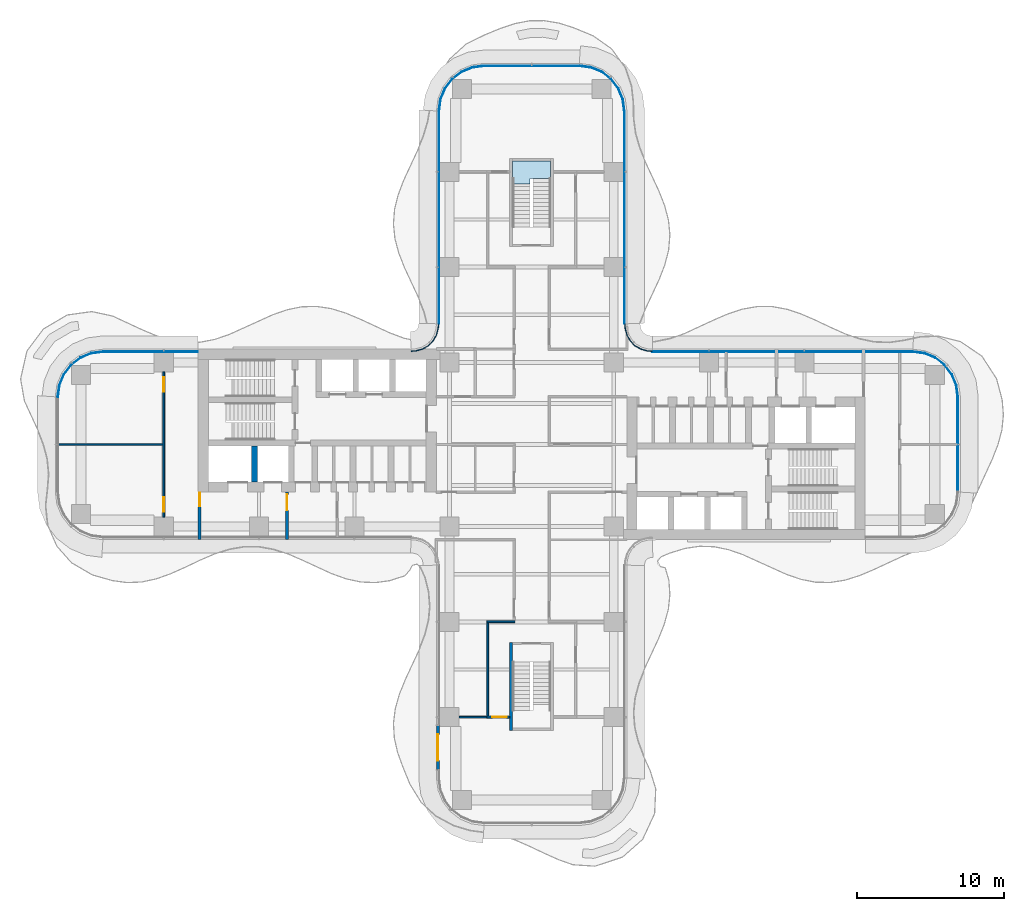
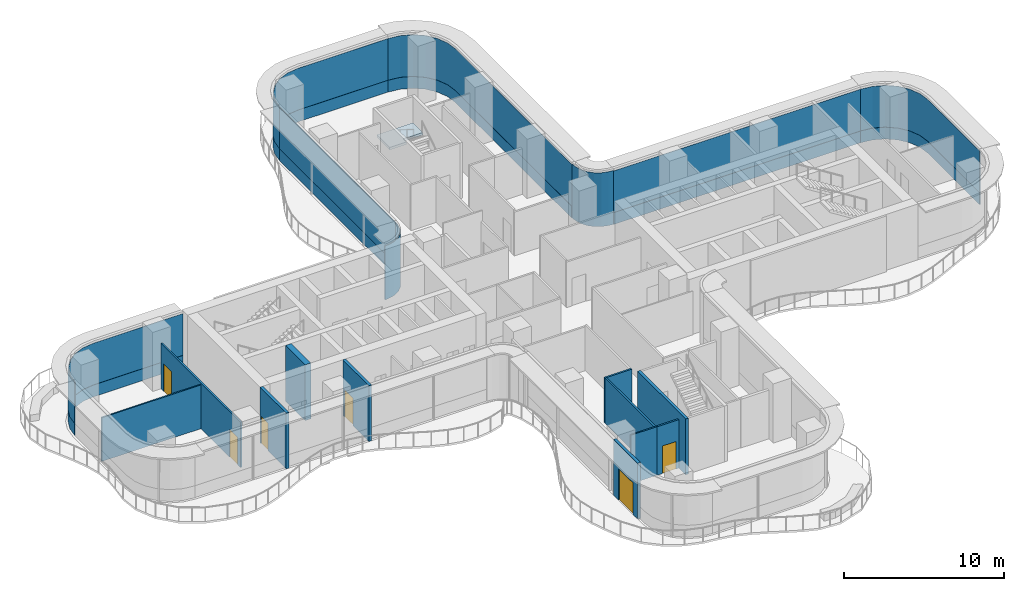
# One storey, part 15 of 21: 14 plates, 11 walls, 6 doors, 1 slab, 6 openings, 9 elements without a shape of their own.
"""IFC4 building model written with IfcOpenShell, lengths in metres."""

from ifc_helpers import new_model, si_unit, direction, frame, frame_2d, origin, place, context, subcontext, project, spatial, polyline, rectangle, outline, extrude, source, transform, mapped, material, layer, layer_set, type_object, element, fill, aggregate, save


model = new_model("IFC4")

# Units and contexts
model_context = context("Model", 3, precision=1e-05, world=origin(), true_north=direction((0.0, 1.0)))
body_context = subcontext(model_context, "Body", "Model", "MODEL_VIEW")
ifc_project = project(units=[si_unit("LENGTHUNIT", "METRE"), si_unit("AREAUNIT", "SQUARE_METRE"), si_unit("VOLUMEUNIT", "CUBIC_METRE"), si_unit("PLANEANGLEUNIT", "RADIAN"), si_unit("MASSUNIT", "GRAM", prefix="KILO")], contexts=[model_context])

# Site, building, storey
site_placement = place(None, origin())
site = spatial("IfcSite", under=ifc_project, at=site_placement, CompositionType="ELEMENT")
building_placement = place(site_placement, origin())
building = spatial("IfcBuilding", under=site, at=building_placement, Name="Trellis Farm Tower", CompositionType="ELEMENT")
storey_placement = place(building_placement, frame((0.0, 0.0, 147.0)))
storey = spatial("IfcBuildingStorey", under=building, at=storey_placement, Name="L31", CompositionType="ELEMENT", Elevation=147.0)

# Stair, slab
ifc_material_1 = material(Name="Concrete C50/60", Category="concrete")
stair_type = type_object("IfcStairType", Name="CORE EXIT STAIR 26 RISERS 173 MM", PredefinedType="HALF_TURN_STAIR", material=ifc_material_1)
placement_1 = place(storey_placement, origin())
stair = element("IfcStair", 1, at=placement_1, inside=storey, type_object=stair_type, Name="Exit stair N", PredefinedType="HALF_TURN_STAIR")
ifc_layer_1 = layer(ifc_material_1, 0.18994140625)
ifc_layer_set_1 = layer_set([ifc_layer_1], Name="CORE STAIR LANDING 190 CONCRETE C50/60")
slab_type = type_object("IfcSlabType", Name="CORE STAIR LANDING 190 CONCRETE C50/60", PredefinedType="LANDING", material=ifc_layer_set_1)
shared_shape_1 = source(origin(), body_context, "Body", "SweptSolid", [
    extrude(outline(polyline([(-0.10009765625, 17.753173828125), (-1.300048828125, 17.753173828125), (-1.300048828125, 18.14990234375), (-1.300048828125, 19.35009765625), (1.300048828125, 19.35009765625), (1.300048828125, 18.14990234375), (1.300048828125, 18.139892578125), (0.10009765625, 18.139892578125), (0.10009765625, 18.14990234375), (-0.10009765625, 18.14990234375), (-0.10009765625, 17.753173828125)])), origin(), (0.0, 0.0, 1.0), 0.18994140625),
])
slab_placement = place(storey_placement, frame((0.0, 0.0, 2.06005859375)))
slab = element("IfcSlab", 2, at=slab_placement, type_object=slab_type, Name="STN landing 1", PredefinedType="LANDING", context=body_context, shape_type="MappedRepresentation", body=[
    mapped(shared_shape_1, transform((0.0, 0.0, 0.0))),
])
aggregate(stair, [slab])

# Curtain wall, plate
ifc_material_2 = material(Name="Aluminium and glass curtain wall", Category="aluminium")
ifc_layer_2 = layer(ifc_material_2, 0.166015625)
ifc_layer_set_2 = layer_set([ifc_layer_2], Name="WINTER GARDEN CURTAIN WALL CW3")
curtain_wall_type_1 = type_object("IfcCurtainWallType", Name="WINTER GARDEN CURTAIN WALL CW3", PredefinedType="NOTDEFINED", material=ifc_layer_set_2)
curtain_wall_1 = element("IfcCurtainWall", 3, at=placement_1, inside=storey, type_object=curtain_wall_type_1, Name="CW3 003", PredefinedType="NOTDEFINED")
ifc_material_3 = material(Name="Clear insulated glass", Category="glass")
ifc_layer_3 = layer(ifc_material_3, 0.0458984375)
ifc_layer_set_3 = layer_set([ifc_layer_3], Name="CW3 GLASS PANEL 46")
plate_type_1 = type_object("IfcPlateType", Name="CW3 GLASS PANEL 46", PredefinedType="CURTAIN_PANEL", material=ifc_layer_set_3)
shared_shape_2 = source(origin(), body_context, "Body", "SweptSolid", [
    extrude(outline(polyline([(8.2275390625, 6.3798828125), (8.0078125, 6.394287109375), (7.89208984375, 6.40966796875), (7.462158203125, 6.52490234375), (7.070556640625, 6.7509765625), (6.7509765625, 7.070556640625), (6.52490234375, 7.462158203125), (6.40966796875, 7.89208984375), (6.394287109375, 8.0078125), (6.3798828125, 8.2275390625), (6.333984375, 8.22607421875), (6.3486328125, 8.003173828125), (6.364501953125, 7.883056640625), (6.48193359375, 7.4443359375), (6.714111328125, 7.04248046875), (7.04248046875, 6.714111328125), (7.4443359375, 6.48193359375), (7.883056640625, 6.364501953125), (8.003173828125, 6.3486328125), (8.22607421875, 6.333984375), (8.2275390625, 6.3798828125)])), origin(), (0.0, 0.0, 1.0), 4.10009765625),
])
plate_1 = element("IfcPlate", 4, at=placement_1, type_object=plate_type_1, Name="PL3 003", PredefinedType="CURTAIN_PANEL", context=body_context, shape_type="MappedRepresentation", body=[
    mapped(shared_shape_2, transform((0.0, 0.0, 0.0))),
])
aggregate(curtain_wall_1, [plate_1])

curtain_wall_2 = element("IfcCurtainWall", 5, at=placement_1, inside=storey, type_object=curtain_wall_type_1, Name="CW3 004", PredefinedType="NOTDEFINED")
shared_shape_3 = source(origin(), body_context, "Body", "SweptSolid", [
    extrude(outline(polyline([(-6.3798828125, 8.2275390625), (-6.394287109375, 8.0078125), (-6.40966796875, 7.89208984375), (-6.52490234375, 7.462158203125), (-6.7509765625, 7.070556640625), (-7.070556640625, 6.7509765625), (-7.462158203125, 6.52490234375), (-7.89208984375, 6.40966796875), (-8.0078125, 6.394287109375), (-8.2275390625, 6.3798828125), (-8.22607421875, 6.333984375), (-8.003173828125, 6.3486328125), (-7.883056640625, 6.364501953125), (-7.4443359375, 6.48193359375), (-7.04248046875, 6.714111328125), (-6.714111328125, 7.04248046875), (-6.48193359375, 7.4443359375), (-6.364501953125, 7.883056640625), (-6.3486328125, 8.003173828125), (-6.333984375, 8.22607421875), (-6.3798828125, 8.2275390625)])), origin(), (0.0, 0.0, 1.0), 4.10009765625),
])
plate_2 = element("IfcPlate", 6, at=placement_1, type_object=plate_type_1, Name="PL3 004", PredefinedType="CURTAIN_PANEL", context=body_context, shape_type="MappedRepresentation", body=[
    mapped(shared_shape_3, transform((0.0, 0.0, 0.0))),
])
aggregate(curtain_wall_2, [plate_2])

# Curtain wall, plates
ifc_layer_4 = layer(ifc_material_2, 0.18994140625)
ifc_layer_set_4 = layer_set([ifc_layer_4], Name="RIBBON CURTAIN WALL CW1")
curtain_wall_type_2 = type_object("IfcCurtainWallType", Name="RIBBON CURTAIN WALL CW1", PredefinedType="NOTDEFINED", material=ifc_layer_set_4)
curtain_wall_3 = element("IfcCurtainWall", 7, at=placement_1, inside=storey, type_object=curtain_wall_type_2, Name="CW1 012", PredefinedType="NOTDEFINED")
ifc_layer_5 = layer(ifc_material_3, 0.0400390625)
ifc_layer_set_5 = layer_set([ifc_layer_5], Name="CW1 GLASS PANEL 40")
plate_type_2 = type_object("IfcPlateType", Name="CW1 GLASS PANEL 40", PredefinedType="CURTAIN_PANEL", material=ifc_layer_set_5)
shared_shape_4 = source(origin(), body_context, "Body", "SweptSolid", [
    extrude(outline(polyline([(-22.780029296875, 6.35009765625), (-29.240234375, 6.35009765625), (-30.052001953125, 6.2431640625), (-30.79931640625, 5.93359375), (-31.441162109375, 5.441162109375), (-31.93359375, 4.79931640625), (-32.2431640625, 4.052001953125), (-32.35009765625, 3.240234375), (-32.31005859375, 3.237548828125), (-32.2041015625, 4.04150390625), (-31.898681640625, 4.779296875), (-31.41259765625, 5.41259765625), (-30.779296875, 5.898681640625), (-30.04150390625, 6.2041015625), (-29.237548828125, 6.31005859375), (-22.780029296875, 6.31005859375), (-22.780029296875, 6.35009765625)])), origin(), (0.0, 0.0, 1.0), 3.170166015625),
])
placement_2 = place(storey_placement, frame((0.0, 0.0, 0.89990234375)))
plate_3 = element("IfcPlate", 8, at=placement_2, type_object=plate_type_2, Name="PL1 012", PredefinedType="CURTAIN_PANEL", context=body_context, shape_type="MappedRepresentation", body=[
    mapped(shared_shape_4, transform((0.0, 0.0, 0.0))),
])
ifc_material_4 = material(Name="Sandstone faced insulated panel", Category="masonry")
ifc_layer_6 = layer(ifc_material_4, 0.050048828125)
ifc_layer_set_6 = layer_set([ifc_layer_6], Name="CW1 STONE SPANDREL PANEL 50")
plate_type_3 = type_object("IfcPlateType", Name="CW1 STONE SPANDREL PANEL 50", PredefinedType="CURTAIN_PANEL", material=ifc_layer_set_6)
shared_shape_5 = source(origin(), body_context, "Body", "SweptSolid", [
    extrude(outline(polyline([(-22.780029296875, 6.35009765625), (-29.240234375, 6.35009765625), (-30.052001953125, 6.2431640625), (-30.79931640625, 5.93359375), (-31.441162109375, 5.441162109375), (-31.93359375, 4.79931640625), (-32.2431640625, 4.052001953125), (-32.35009765625, 3.240234375), (-32.300048828125, 3.23681640625), (-32.1943359375, 4.0390625), (-31.889892578125, 4.774169921875), (-31.405517578125, 5.405517578125), (-30.774169921875, 5.889892578125), (-30.0390625, 6.1943359375), (-29.23681640625, 6.300048828125), (-22.780029296875, 6.300048828125), (-22.780029296875, 6.35009765625)])), origin(), (0.0, 0.0, 1.0), 0.89990234375),
])
plate_4 = element("IfcPlate", 9, at=placement_1, type_object=plate_type_3, Name="PS1 012", PredefinedType="CURTAIN_PANEL", context=body_context, shape_type="MappedRepresentation", body=[
    mapped(shared_shape_5, transform((0.0, 0.0, 0.0))),
])
aggregate(curtain_wall_3, [plate_3, plate_4])

curtain_wall_4 = element("IfcCurtainWall", 10, at=placement_1, inside=storey, type_object=curtain_wall_type_2, Name="CW1 009", PredefinedType="NOTDEFINED")
shared_shape_6 = source(origin(), body_context, "Body", "SweptSolid", [
    extrude(outline(polyline([(6.35009765625, 8.2265625), (6.35009765625, 22.740234375), (6.2431640625, 23.552001953125), (5.93359375, 24.29931640625), (5.441162109375, 24.941162109375), (4.79931640625, 25.43359375), (4.052001953125, 25.7431640625), (3.240234375, 25.85009765625), (3.237548828125, 25.81005859375), (4.04150390625, 25.7041015625), (4.779296875, 25.398681640625), (5.41259765625, 24.91259765625), (5.898681640625, 24.279296875), (6.2041015625, 23.54150390625), (6.31005859375, 22.737548828125), (6.31005859375, 8.22509765625), (6.35009765625, 8.2265625)])), origin(), (0.0, 0.0, 1.0), 3.170166015625),
])
plate_5 = element("IfcPlate", 11, at=placement_2, type_object=plate_type_2, Name="PL1 009", PredefinedType="CURTAIN_PANEL", context=body_context, shape_type="MappedRepresentation", body=[
    mapped(shared_shape_6, transform((0.0, 0.0, 0.0))),
])
shared_shape_7 = source(origin(), body_context, "Body", "SweptSolid", [
    extrude(outline(polyline([(6.35009765625, 8.2265625), (6.35009765625, 22.740234375), (6.2431640625, 23.552001953125), (5.93359375, 24.29931640625), (5.441162109375, 24.941162109375), (4.79931640625, 25.43359375), (4.052001953125, 25.7431640625), (3.240234375, 25.85009765625), (3.23681640625, 25.800048828125), (4.0390625, 25.6943359375), (4.774169921875, 25.389892578125), (5.405517578125, 24.905517578125), (5.889892578125, 24.274169921875), (6.1943359375, 23.5390625), (6.300048828125, 22.73681640625), (6.300048828125, 8.224853515625), (6.35009765625, 8.2265625)])), origin(), (0.0, 0.0, 1.0), 0.89990234375),
])
plate_6 = element("IfcPlate", 12, at=placement_1, type_object=plate_type_3, Name="PS1 009", PredefinedType="CURTAIN_PANEL", context=body_context, shape_type="MappedRepresentation", body=[
    mapped(shared_shape_7, transform((0.0, 0.0, 0.0))),
])
aggregate(curtain_wall_4, [plate_5, plate_6])

curtain_wall_5 = element("IfcCurtainWall", 13, at=placement_1, inside=storey, type_object=curtain_wall_type_2, Name="CW1 011", PredefinedType="NOTDEFINED")
shared_shape_8 = source(origin(), body_context, "Body", "SweptSolid", [
    extrude(outline(polyline([(-6.35009765625, 22.740234375), (-6.35009765625, 8.2265625), (-6.31005859375, 8.22509765625), (-6.31005859375, 22.737548828125), (-6.35009765625, 22.740234375)])), origin(), (0.0, 0.0, 1.0), 3.170166015625),
])
plate_7 = element("IfcPlate", 14, at=placement_2, type_object=plate_type_2, Name="PL1 011", PredefinedType="CURTAIN_PANEL", context=body_context, shape_type="MappedRepresentation", body=[
    mapped(shared_shape_8, transform((0.0, 0.0, 0.0))),
])
shared_shape_9 = source(origin(), body_context, "Body", "SweptSolid", [
    extrude(outline(polyline([(-6.35009765625, 22.740234375), (-6.35009765625, 8.2265625), (-6.300048828125, 8.224853515625), (-6.300048828125, 22.73681640625), (-6.35009765625, 22.740234375)])), origin(), (0.0, 0.0, 1.0), 0.89990234375),
])
plate_8 = element("IfcPlate", 15, at=placement_1, type_object=plate_type_3, Name="PS1 011", PredefinedType="CURTAIN_PANEL", context=body_context, shape_type="MappedRepresentation", body=[
    mapped(shared_shape_9, transform((0.0, 0.0, 0.0))),
])
aggregate(curtain_wall_5, [plate_7, plate_8])

curtain_wall_6 = element("IfcCurtainWall", 16, at=placement_1, inside=storey, type_object=curtain_wall_type_2, Name="CW1 010", PredefinedType="NOTDEFINED")
shared_shape_10 = source(origin(), body_context, "Body", "SweptSolid", [
    extrude(outline(polyline([(3.240234375, 25.85009765625), (-3.240234375, 25.85009765625), (-4.052001953125, 25.7431640625), (-4.79931640625, 25.43359375), (-5.441162109375, 24.941162109375), (-5.93359375, 24.29931640625), (-6.2431640625, 23.552001953125), (-6.35009765625, 22.740234375), (-6.31005859375, 22.737548828125), (-6.2041015625, 23.54150390625), (-5.898681640625, 24.279296875), (-5.41259765625, 24.91259765625), (-4.779296875, 25.398681640625), (-4.04150390625, 25.7041015625), (-3.237548828125, 25.81005859375), (3.237548828125, 25.81005859375), (3.240234375, 25.85009765625)])), origin(), (0.0, 0.0, 1.0), 3.170166015625),
])
plate_9 = element("IfcPlate", 17, at=placement_2, type_object=plate_type_2, Name="PL1 010", PredefinedType="CURTAIN_PANEL", context=body_context, shape_type="MappedRepresentation", body=[
    mapped(shared_shape_10, transform((0.0, 0.0, 0.0))),
])
shared_shape_11 = source(origin(), body_context, "Body", "SweptSolid", [
    extrude(outline(polyline([(3.240234375, 25.85009765625), (-3.240234375, 25.85009765625), (-4.052001953125, 25.7431640625), (-4.79931640625, 25.43359375), (-5.441162109375, 24.941162109375), (-5.93359375, 24.29931640625), (-6.2431640625, 23.552001953125), (-6.35009765625, 22.740234375), (-6.300048828125, 22.73681640625), (-6.1943359375, 23.5390625), (-5.889892578125, 24.274169921875), (-5.405517578125, 24.905517578125), (-4.774169921875, 25.389892578125), (-4.0390625, 25.6943359375), (-3.23681640625, 25.800048828125), (3.23681640625, 25.800048828125), (3.240234375, 25.85009765625)])), origin(), (0.0, 0.0, 1.0), 0.89990234375),
])
plate_10 = element("IfcPlate", 18, at=placement_1, type_object=plate_type_3, Name="PS1 010", PredefinedType="CURTAIN_PANEL", context=body_context, shape_type="MappedRepresentation", body=[
    mapped(shared_shape_11, transform((0.0, 0.0, 0.0))),
])
aggregate(curtain_wall_6, [plate_9, plate_10])

curtain_wall_7 = element("IfcCurtainWall", 19, at=placement_1, inside=storey, type_object=curtain_wall_type_2, Name="CW1 008", PredefinedType="NOTDEFINED")
shared_shape_12 = source(origin(), body_context, "Body", "SweptSolid", [
    extrude(outline(polyline([(25.990234375, 6.35009765625), (8.2265625, 6.35009765625), (8.22509765625, 6.31005859375), (25.987548828125, 6.31005859375), (25.990234375, 6.35009765625)])), origin(), (0.0, 0.0, 1.0), 3.170166015625),
])
plate_11 = element("IfcPlate", 20, at=placement_2, type_object=plate_type_2, Name="PL1 008", PredefinedType="CURTAIN_PANEL", context=body_context, shape_type="MappedRepresentation", body=[
    mapped(shared_shape_12, transform((0.0, 0.0, 0.0))),
])
shared_shape_13 = source(origin(), body_context, "Body", "SweptSolid", [
    extrude(outline(polyline([(25.990234375, 6.35009765625), (8.2265625, 6.35009765625), (8.224853515625, 6.300048828125), (25.98681640625, 6.300048828125), (25.990234375, 6.35009765625)])), origin(), (0.0, 0.0, 1.0), 0.89990234375),
])
plate_12 = element("IfcPlate", 21, at=placement_1, type_object=plate_type_3, Name="PS1 008", PredefinedType="CURTAIN_PANEL", context=body_context, shape_type="MappedRepresentation", body=[
    mapped(shared_shape_13, transform((0.0, 0.0, 0.0))),
])
aggregate(curtain_wall_7, [plate_11, plate_12])

curtain_wall_8 = element("IfcCurtainWall", 22, at=placement_1, inside=storey, type_object=curtain_wall_type_2, Name="CW1 007", PredefinedType="NOTDEFINED")
shared_shape_14 = source(origin(), body_context, "Body", "SweptSolid", [
    extrude(outline(polyline([(29.10009765625, -3.240234375), (29.10009765625, 3.240234375), (28.9931640625, 4.052001953125), (28.68359375, 4.79931640625), (28.191162109375, 5.441162109375), (27.54931640625, 5.93359375), (26.802001953125, 6.2431640625), (25.990234375, 6.35009765625), (25.987548828125, 6.31005859375), (26.79150390625, 6.2041015625), (27.529296875, 5.898681640625), (28.16259765625, 5.41259765625), (28.648681640625, 4.779296875), (28.9541015625, 4.04150390625), (29.06005859375, 3.237548828125), (29.06005859375, -3.237548828125), (29.10009765625, -3.240234375)])), origin(), (0.0, 0.0, 1.0), 3.170166015625),
])
plate_13 = element("IfcPlate", 23, at=placement_2, type_object=plate_type_2, Name="PL1 007", PredefinedType="CURTAIN_PANEL", context=body_context, shape_type="MappedRepresentation", body=[
    mapped(shared_shape_14, transform((0.0, 0.0, 0.0))),
])
shared_shape_15 = source(origin(), body_context, "Body", "SweptSolid", [
    extrude(outline(polyline([(29.10009765625, -3.240234375), (29.10009765625, 3.240234375), (28.9931640625, 4.052001953125), (28.68359375, 4.79931640625), (28.191162109375, 5.441162109375), (27.54931640625, 5.93359375), (26.802001953125, 6.2431640625), (25.990234375, 6.35009765625), (25.98681640625, 6.300048828125), (26.7890625, 6.1943359375), (27.524169921875, 5.889892578125), (28.155517578125, 5.405517578125), (28.639892578125, 4.774169921875), (28.9443359375, 4.0390625), (29.050048828125, 3.23681640625), (29.050048828125, -3.23681640625), (29.10009765625, -3.240234375)])), origin(), (0.0, 0.0, 1.0), 0.89990234375),
])
plate_14 = element("IfcPlate", 24, at=placement_1, type_object=plate_type_3, Name="PS1 007", PredefinedType="CURTAIN_PANEL", context=body_context, shape_type="MappedRepresentation", body=[
    mapped(shared_shape_15, transform((0.0, 0.0, 0.0))),
])
aggregate(curtain_wall_8, [plate_13, plate_14])

# Wall
ifc_material_5 = material(Name="Concrete C70/85", Category="concrete")
ifc_layer_7 = layer(ifc_material_5, 0.39990234375)
ifc_layer_set_7 = layer_set([ifc_layer_7], Name="CORE INNER WALL 400 CONCRETE C70/85")
wall_type_1 = type_object("IfcWallType", Name="CORE INNER WALL 400 CONCRETE C70/85", PredefinedType="SHEAR", material=ifc_layer_set_7)
shared_shape_16 = source(origin(), body_context, "Body", "SweptSolid", [
    extrude(rectangle(XDim=2.449951171875, YDim=0.39990234375, at=frame_2d((1.22509765625, 0.0))), origin(), (0.0, 0.0, 1.0), 4.25),
])
wall_1_placement = place(storey_placement, frame((-18.89990234375, -0.10009765625, 0.0), z_axis=(0.0, 0.0, 1.0), x_axis=(0.0, -1.0, 0.0)))
element("IfcWall", 25, at=wall_1_placement, inside=storey, type_object=wall_type_1, Name="Core wall", PredefinedType="SHEAR", context=body_context, shape_type="MappedRepresentation", body=[
    mapped(shared_shape_16, transform((0.0, 0.0, 0.0))),
])

# Wall, opening, door
ifc_material_6 = material(Name="Masonry blockwork", Category="masonry")
ifc_layer_8 = layer(ifc_material_6, 0.199951171875)
ifc_layer_set_8 = layer_set([ifc_layer_8], Name="FIRE LOBBY PARTITION 200 BLOCKWORK")
wall_type_2 = type_object("IfcWallType", Name="FIRE LOBBY PARTITION 200 BLOCKWORK", PredefinedType="PARTITIONING", material=ifc_layer_set_8)
shared_shape_17 = source(origin(), body_context, "Body", "SweptSolid", [
    extrude(rectangle(XDim=3.25, YDim=0.199951171875, at=frame_2d((1.625, 0.0))), origin(), (0.0, 0.0, 1.0), 4.25),
])
wall_2_placement = place(storey_placement, frame((-16.699951171875, -3.25, 0.0), z_axis=(0.0, 0.0, 1.0), x_axis=(0.0, -1.0, 0.0)))
wall_2 = element("IfcWall", 26, at=wall_2_placement, inside=storey, type_object=wall_type_2, Name="Fire-fighting lobby partition", PredefinedType="PARTITIONING", context=body_context, shape_type="MappedRepresentation", body=[
    mapped(shared_shape_17, transform((0.0, 0.0, 0.0))),
])
shared_shape_18 = source(origin(), body_context, "Body", "SweptSolid", [
    extrude(rectangle(XDim=1.10009765625, YDim=2.10009765625, at=frame_2d((0.550048828125, 1.050048828125))), frame((0.0, 0.110107421875, 0.0), z_axis=(0.0, -1.0, 0.0), x_axis=(1.0, 0.0, 0.0)), (0.0, 0.0, 1.0), 0.22021484375),
])
opening_1_placement = place(wall_2_placement, frame((0.14990234375, 0.0, 0.0)))
opening_1 = element("IfcOpeningElement", 27, at=opening_1_placement, cuts=wall_2, Name="Opening DC93", PredefinedType="OPENING", context=body_context, shape_type="MappedRepresentation", body=[
    mapped(shared_shape_18, transform((0.0, 0.0, 0.0))),
])
ifc_material_7 = material(Name="Steel", Category="steel")
door_type_1 = type_object("IfcDoorType", Name="CORE FIRE DOOR 1100 X 2100", OperationType="NOTDEFINED", PredefinedType="DOOR", material=ifc_material_7)
shared_shape_19 = source(origin(), body_context, "Body", "SweptSolid", [
    extrude(rectangle(XDim=1.10009765625, YDim=2.10009765625, at=frame_2d((0.550048828125, 1.050048828125))), frame((0.0, 0.02490234375, 0.0), z_axis=(0.0, -1.0, 0.0), x_axis=(1.0, 0.0, 0.0)), (0.0, 0.0, 1.0), 0.050048828125),
])
door_1_placement = place(opening_1_placement, origin())
door_1 = element("IfcDoor", 28, at=door_1_placement, inside=storey, type_object=door_type_1, Name="Core door", OperationType="SINGLE_SWING_RIGHT", OverallHeight=2.10009765625, OverallWidth=1.10009765625, PredefinedType="DOOR", context=body_context, shape_type="MappedRepresentation", body=[
    mapped(shared_shape_19, transform((0.0, 0.0, 0.0))),
])
fill(opening_1, door_1)

wall_3_placement = place(storey_placement, frame((-22.64990234375, -3.25, 0.0), z_axis=(0.0, 0.0, 1.0), x_axis=(0.0, -1.0, 0.0)))
wall_3 = element("IfcWall", 29, at=wall_3_placement, inside=storey, type_object=wall_type_2, Name="Fire-fighting lobby partition", PredefinedType="PARTITIONING", context=body_context, shape_type="MappedRepresentation", body=[
    mapped(shared_shape_17, transform((0.0, 0.0, 0.0))),
])
shared_shape_20 = source(origin(), body_context, "Body", "SweptSolid", [
    extrude(rectangle(XDim=0.89990234375, YDim=2.10009765625, at=frame_2d((0.449951171875, 1.050048828125))), frame((0.0, 0.110107421875, 0.0), z_axis=(0.0, -1.0, 0.0), x_axis=(1.0, 0.0, 0.0)), (0.0, 0.0, 1.0), 0.22021484375),
])
opening_2_placement = place(wall_3_placement, frame((0.050048828125, 0.0, 0.0)))
opening_2 = element("IfcOpeningElement", 30, at=opening_2_placement, cuts=wall_3, Name="Opening DC94", PredefinedType="OPENING", context=body_context, shape_type="MappedRepresentation", body=[
    mapped(shared_shape_20, transform((0.0, 0.0, 0.0))),
])
door_type_2 = type_object("IfcDoorType", Name="CORE FIRE DOOR 900 X 2100", OperationType="NOTDEFINED", PredefinedType="DOOR", material=ifc_material_7)
shared_shape_21 = source(origin(), body_context, "Body", "SweptSolid", [
    extrude(rectangle(XDim=0.89990234375, YDim=2.10009765625, at=frame_2d((0.449951171875, 1.050048828125))), frame((0.0, 0.02490234375, 0.0), z_axis=(0.0, -1.0, 0.0), x_axis=(1.0, 0.0, 0.0)), (0.0, 0.0, 1.0), 0.050048828125),
])
door_2_placement = place(opening_2_placement, origin())
door_2 = element("IfcDoor", 31, at=door_2_placement, inside=storey, type_object=door_type_2, Name="Core door", OperationType="SINGLE_SWING_RIGHT", OverallHeight=2.10009765625, OverallWidth=0.89990234375, PredefinedType="DOOR", context=body_context, shape_type="MappedRepresentation", body=[
    mapped(shared_shape_21, transform((0.0, 0.0, 0.0))),
])
fill(opening_2, door_2)

# Wall
ifc_layer_9 = layer(ifc_material_5, 0.199951171875)
ifc_layer_set_9 = layer_set([ifc_layer_9], Name="CORE STAIR ENCLOSURE WALL 200 CONCRETE C70/85")
wall_type_3 = type_object("IfcWallType", Name="CORE STAIR ENCLOSURE WALL 200 CONCRETE C70/85", PredefinedType="SHEAR", material=ifc_layer_set_9)
shared_shape_22 = source(origin(), body_context, "Body", "SweptSolid", [
    extrude(rectangle(XDim=6.0, YDim=0.199951171875, at=frame_2d((3.0, 0.0))), origin(), (0.0, 0.0, 1.0), 4.25),
])
wall_4_placement = place(storey_placement, frame((-1.39990234375, -13.5, 0.0), z_axis=(0.0, 0.0, 1.0), x_axis=(0.0, -1.0, 0.0)))
element("IfcWall", 32, at=wall_4_placement, inside=storey, type_object=wall_type_3, Name="Stair enclosure wall", PredefinedType="SHEAR", context=body_context, shape_type="MappedRepresentation", body=[
    mapped(shared_shape_22, transform((0.0, 0.0, 0.0))),
])

# Wall, opening, door
ifc_material_8 = material(Name="Sandstone faced insulated wall", Category="masonry")
ifc_layer_10 = layer(ifc_material_8, 0.199951171875)
ifc_layer_set_10 = layer_set([ifc_layer_10], Name="EXTERNAL INFILL WALL 200")
wall_type_4 = type_object("IfcWallType", Name="EXTERNAL INFILL WALL 200", PredefinedType="SOLIDWALL", material=ifc_layer_set_10)
shared_shape_23 = source(origin(), body_context, "Body", "SweptSolid", [
    extrude(rectangle(XDim=3.0, YDim=0.199951171875, at=frame_2d((1.5, 0.0))), origin(), (0.0, 0.0, 1.0), 4.25),
])
wall_5_placement = place(storey_placement, frame((-6.39990234375, -19.175048828125, 0.0), z_axis=(0.0, 0.0, 1.0), x_axis=(0.0, -1.0, 0.0)))
wall_5 = element("IfcWall", 33, at=wall_5_placement, inside=storey, type_object=wall_type_4, Name="EW1 01", PredefinedType="SOLIDWALL", context=body_context, shape_type="MappedRepresentation", body=[
    mapped(shared_shape_23, transform((0.0, 0.0, 0.0))),
])
shared_shape_24 = source(origin(), body_context, "Body", "SweptSolid", [
    extrude(rectangle(XDim=1.800048828125, YDim=2.39990234375, at=frame_2d((0.89990234375, 1.199951171875))), frame((0.0, 0.110107421875, 0.0), z_axis=(0.0, -1.0, 0.0), x_axis=(1.0, 0.0, 0.0)), (0.0, 0.0, 1.0), 0.22021484375),
])
opening_3_placement = place(wall_5_placement, frame((0.60009765625, 0.0, 0.0)))
opening_3 = element("IfcOpeningElement", 34, at=opening_3_placement, cuts=wall_5, Name="Opening ED1", PredefinedType="OPENING", context=body_context, shape_type="MappedRepresentation", body=[
    mapped(shared_shape_24, transform((0.0, 0.0, 0.0))),
])
ifc_material_9 = material(Name="Aluminium framed glazed door", Category="aluminium")
door_type_3 = type_object("IfcDoorType", Name="BALCONY DOOR 1800x2400", OperationType="DOUBLE_DOOR_SINGLE_SWING", PredefinedType="DOOR", material=ifc_material_9)
shared_shape_25 = source(origin(), body_context, "Body", "SweptSolid", [
    extrude(rectangle(XDim=1.800048828125, YDim=2.39990234375, at=frame_2d((0.89990234375, 1.199951171875))), frame((0.0, 0.02490234375, 0.0), z_axis=(0.0, -1.0, 0.0), x_axis=(1.0, 0.0, 0.0)), (0.0, 0.0, 1.0), 0.050048828125),
])
door_3_placement = place(opening_3_placement, origin())
door_3 = element("IfcDoor", 35, at=door_3_placement, inside=storey, type_object=door_type_3, Name="Balcony door", OperationType="DOUBLE_DOOR_SINGLE_SWING", OverallHeight=2.39990234375, OverallWidth=1.800048828125, PredefinedType="DOOR", context=body_context, shape_type="MappedRepresentation", body=[
    mapped(shared_shape_25, transform((0.0, 0.0, 0.0))),
])
fill(opening_3, door_3)

# Walls
ifc_material_10 = material(Name="Plasterboard on steel studs, mineral wool", Category="steel")
ifc_layer_11 = layer(ifc_material_10, 0.125)
ifc_layer_set_11 = layer_set([ifc_layer_11], Name="PARTITION 125 STUD EI 60")
wall_type_5 = type_object("IfcWallType", Name="PARTITION 125 STUD EI 60", PredefinedType="PARTITIONING", material=ifc_layer_set_11)
shared_shape_26 = source(origin(), body_context, "Body", "SweptSolid", [
    extrude(rectangle(XDim=1.925048828125, YDim=0.125, at=frame_2d((0.96240234375, 0.0))), origin(), (0.0, 0.0, 1.0), 3.4677734375),
])
wall_6_placement = place(storey_placement, frame((-3.0625, -12.10009765625, 0.0), z_axis=(0.0, 0.0, 1.0), x_axis=(1.0, 0.0, 0.0)))
element("IfcWall", 36, at=wall_6_placement, inside=storey, type_object=wall_type_5, Name="Partition PW1", PredefinedType="PARTITIONING", context=body_context, shape_type="MappedRepresentation", body=[
    mapped(shared_shape_26, transform((0.0, 0.0, 0.0))),
])
ifc_material_11 = material(Name="Plasterboard on steel studs", Category="steel")
ifc_layer_12 = layer(ifc_material_11, 0.10009765625)
ifc_layer_set_12 = layer_set([ifc_layer_12], Name="PARTITION 100 STUD EI 30")
wall_type_6 = type_object("IfcWallType", Name="PARTITION 100 STUD EI 30", PredefinedType="PARTITIONING", material=ifc_layer_set_12)
shared_shape_27 = source(origin(), body_context, "Body", "SweptSolid", [
    extrude(rectangle(XDim=7.137451171875, YDim=0.10009765625, at=frame_2d((3.56884765625, 0.0))), origin(), (0.0, 0.0, 1.0), 3.330078125),
])
wall_7_placement = place(storey_placement, frame((-32.300048828125, 0.0, 0.0), z_axis=(0.0, 0.0, 1.0), x_axis=(1.0, 0.0, 0.0)))
element("IfcWall", 37, at=wall_7_placement, inside=storey, type_object=wall_type_6, Name="Partition PW2", PredefinedType="PARTITIONING", context=body_context, shape_type="MappedRepresentation", body=[
    mapped(shared_shape_27, transform((0.0, 0.0, 0.0))),
])

# Wall, opening, door
shared_shape_28 = source(origin(), body_context, "Body", "SweptSolid", [
    extrude(rectangle(XDim=1.5625, YDim=0.125, at=frame_2d((0.78125, 0.0))), origin(), (0.0, 0.0, 1.0), 3.697021484375),
])
wall_8_placement = place(storey_placement, frame((-1.5, -18.60009765625, 0.0), z_axis=(0.0, 0.0, 1.0), x_axis=(-1.0, 0.0, 0.0)))
wall_8 = element("IfcWall", 38, at=wall_8_placement, inside=storey, type_object=wall_type_5, Name="Partition PW1", PredefinedType="PARTITIONING", context=body_context, shape_type="MappedRepresentation", body=[
    mapped(shared_shape_28, transform((0.0, 0.0, 0.0))),
])
shared_shape_29 = source(origin(), body_context, "Body", "SweptSolid", [
    extrude(rectangle(XDim=1.0, YDim=2.10009765625, at=frame_2d((0.5, 1.050048828125))), frame((0.0, 0.072509765625, 0.0), z_axis=(0.0, -1.0, 0.0), x_axis=(1.0, 0.0, 0.0)), (0.0, 0.0, 1.0), 0.14501953125),
])
opening_4_placement = place(wall_8_placement, frame((0.199951171875, 0.0, 0.0)))
opening_4 = element("IfcOpeningElement", 39, at=opening_4_placement, cuts=wall_8, Name="Opening D101", PredefinedType="OPENING", context=body_context, shape_type="MappedRepresentation", body=[
    mapped(shared_shape_29, transform((0.0, 0.0, 0.0))),
])
ifc_material_12 = material(Name="Fire-rated timber door leaf in a hollow metal frame", Category="wood")
door_type_4 = type_object("IfcDoorType", Name="DOOR 1000x2100 FD30S", OperationType="NOTDEFINED", PredefinedType="DOOR", material=ifc_material_12)
shared_shape_30 = source(origin(), body_context, "Body", "SweptSolid", [
    extrude(rectangle(XDim=1.0, YDim=2.10009765625, at=frame_2d((0.5, 1.050048828125))), frame((0.0, 0.02490234375, 0.0), z_axis=(0.0, -1.0, 0.0), x_axis=(1.0, 0.0, 0.0)), (0.0, 0.0, 1.0), 0.050048828125),
])
door_4_placement = place(opening_4_placement, origin())
door_4 = element("IfcDoor", 40, at=door_4_placement, inside=storey, type_object=door_type_4, Name="Door D101", OperationType="SINGLE_SWING_LEFT", OverallHeight=2.10009765625, OverallWidth=1.0, PredefinedType="DOOR", context=body_context, shape_type="MappedRepresentation", body=[
    mapped(shared_shape_30, transform((0.0, 0.0, 0.0))),
])
fill(opening_4, door_4)

# Walls
shared_shape_31 = source(origin(), body_context, "Body", "SweptSolid", [
    extrude(rectangle(XDim=6.387451171875, YDim=0.125, at=frame_2d((3.19384765625, 0.0))), origin(), (0.0, 0.0, 1.0), 3.4677734375),
])
wall_9_placement = place(storey_placement, frame((-3.0, -18.550048828125, 0.0), z_axis=(0.0, 0.0, 1.0), x_axis=(0.0, 1.0, 0.0)))
element("IfcWall", 41, at=wall_9_placement, inside=storey, type_object=wall_type_5, Name="Partition PW1", PredefinedType="PARTITIONING", context=body_context, shape_type="MappedRepresentation", body=[
    mapped(shared_shape_31, transform((0.0, 0.0, 0.0))),
])
shared_shape_32 = source(origin(), body_context, "Body", "SweptSolid", [
    extrude(rectangle(XDim=2.012451171875, YDim=0.10009765625, at=frame_2d((1.00634765625, 0.0))), origin(), (0.0, 0.0, 1.0), 3.697021484375),
])
wall_10_placement = place(storey_placement, frame((-4.949951171875, -18.60009765625, 0.0), z_axis=(0.0, 0.0, 1.0), x_axis=(1.0, 0.0, 0.0)))
element("IfcWall", 42, at=wall_10_placement, inside=storey, type_object=wall_type_6, Name="Partition PW2", PredefinedType="PARTITIONING", context=body_context, shape_type="MappedRepresentation", body=[
    mapped(shared_shape_32, transform((0.0, 0.0, 0.0))),
])

# Wall, openings, doors
shared_shape_33 = source(origin(), body_context, "Body", "SweptSolid", [
    extrude(rectangle(XDim=9.89990234375, YDim=0.125, at=frame_2d((4.949951171875, 0.0))), origin(), (0.0, 0.0, 1.0), 3.4677734375),
])
wall_11_placement = place(storey_placement, frame((-25.10009765625, -4.949951171875, 0.0), z_axis=(0.0, 0.0, 1.0), x_axis=(0.0, 1.0, 0.0)))
wall_11 = element("IfcWall", 43, at=wall_11_placement, inside=storey, type_object=wall_type_5, Name="Partition PW1", PredefinedType="PARTITIONING", context=body_context, shape_type="MappedRepresentation", body=[
    mapped(shared_shape_33, transform((0.0, 0.0, 0.0))),
])
opening_5_placement = place(wall_11_placement, frame((0.35009765625, 0.0, 0.0)))
opening_5 = element("IfcOpeningElement", 44, at=opening_5_placement, cuts=wall_11, Name="Opening D104", PredefinedType="OPENING", context=body_context, shape_type="MappedRepresentation", body=[
    mapped(shared_shape_29, transform((0.0, 0.0, 0.0))),
])
opening_6_placement = place(wall_11_placement, frame((8.550048828125, 0.0, 0.0)))
opening_6 = element("IfcOpeningElement", 45, at=opening_6_placement, cuts=wall_11, Name="Opening D110", PredefinedType="OPENING", context=body_context, shape_type="MappedRepresentation", body=[
    mapped(shared_shape_29, transform((0.0, 0.0, 0.0))),
])
door_5_placement = place(opening_5_placement, origin())
door_5 = element("IfcDoor", 46, at=door_5_placement, inside=storey, type_object=door_type_4, Name="Door D104", OperationType="SINGLE_SWING_LEFT", OverallHeight=2.10009765625, OverallWidth=1.0, PredefinedType="DOOR", context=body_context, shape_type="MappedRepresentation", body=[
    mapped(shared_shape_30, transform((0.0, 0.0, 0.0))),
])
fill(opening_5, door_5)
door_6_placement = place(opening_6_placement, origin())
door_6 = element("IfcDoor", 47, at=door_6_placement, inside=storey, type_object=door_type_4, Name="Door D110", OperationType="SINGLE_SWING_RIGHT", OverallHeight=2.10009765625, OverallWidth=1.0, PredefinedType="DOOR", context=body_context, shape_type="MappedRepresentation", body=[
    mapped(shared_shape_30, transform((0.0, 0.0, 0.0))),
])
fill(opening_6, door_6)

save(model, "model.ifc")
